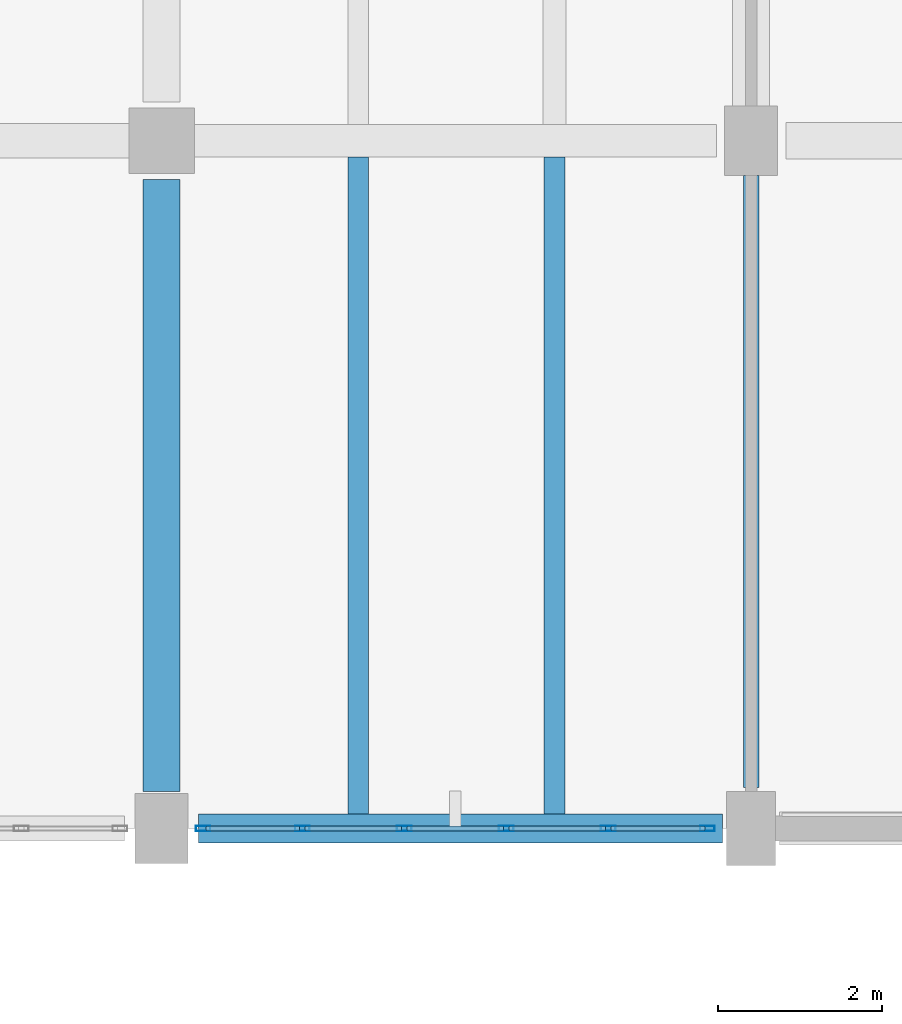
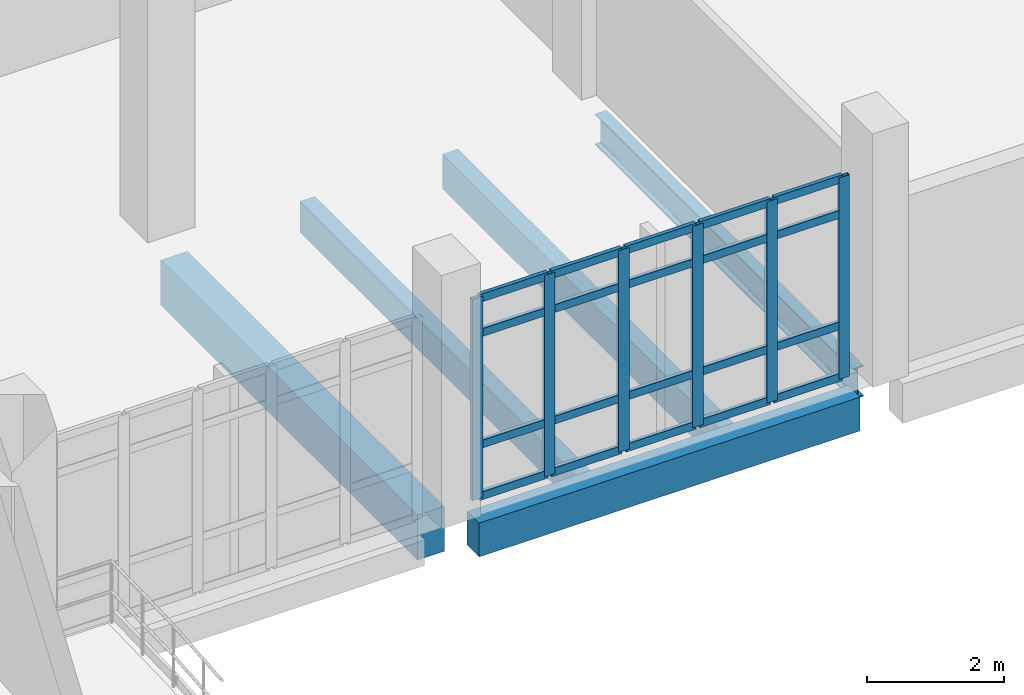
# One storey, part 66 of 134: 26 members, 5 beams, 1 element without a shape of its own.
"""IFC4 building model written with IfcOpenShell, lengths in metres."""

from ifc_helpers import new_model, si_unit, direction, frame, origin, origin_2d, place, context, subcontext, project, spatial, rectangle, hollow_rectangle, i_section, extrude, material, material_profile, profile_set, type_object, element, aggregate, save


model = new_model("IFC4")

# Units and contexts
model_context = context("Model", 3, precision=1e-05, world=origin(), true_north=direction((0.0, 1.0)))
body_context = subcontext(model_context, "Body", "Model", "MODEL_VIEW")
ifc_project = project(units=[si_unit("LENGTHUNIT", "METRE"), si_unit("AREAUNIT", "SQUARE_METRE"), si_unit("VOLUMEUNIT", "CUBIC_METRE"), si_unit("PLANEANGLEUNIT", "RADIAN"), si_unit("MASSUNIT", "GRAM", prefix="KILO")], contexts=[model_context])

# Site, building, storey
site_placement = place(None, origin())
site = spatial("IfcSite", under=ifc_project, at=site_placement, CompositionType="ELEMENT")
building_placement = place(site_placement, origin())
building = spatial("IfcBuilding", under=site, at=building_placement, Name="Kalluvel Institute of Natural Sciences", CompositionType="ELEMENT")
storey_placement = place(building_placement, frame((0.0, 0.0, 5.39990234375)))
storey = spatial("IfcBuildingStorey", under=building, at=storey_placement, Name="L01", CompositionType="ELEMENT", Elevation=5.39990234375)

# Beams
ifc_material_1 = material(Name="Steel E350 Grade 350", Category="steel")
ifc_material_profile_1 = material_profile(ifc_material_1, i_section(OverallWidth=0.18994140625, OverallDepth=0.550048828125, WebThickness=0.01123046875, FlangeThickness=0.019287109375, FilletRadius=0.01806640625, at=origin_2d()), Name="ISMB 550")
ifc_profile_set_1 = profile_set([ifc_material_profile_1], Name="Steel E350 Grade 350")
beam_type_1 = type_object("IfcBeamType", Name="BM-ISMB550", PredefinedType="BEAM", material=ifc_profile_set_1)
beam_1_placement = place(storey_placement, frame((100.39990234375, 103.300048828125, -0.594970703125), z_axis=(0.0, 1.0, 0.0), x_axis=(-1.0, 0.0, 0.0)))
element("IfcBeam", 1, at=beam_1_placement, inside=storey, type_object=beam_type_1, Name="L01 girder GIR-L01-NS-X1004-Y1028", PredefinedType="BEAM", context=body_context, shape_type="SweptSolid", body=[
    extrude(i_section(OverallWidth=0.18994140625, OverallDepth=0.550048828125, WebThickness=0.01123046875, FlangeThickness=0.019287109375, FilletRadius=0.01806640625, at=origin_2d()), origin(), (0.0, 0.0, 1.0), 7.474853515625),
])
ifc_material_2 = material(Name="Concrete M40", Category="concrete")
ifc_material_profile_2 = material_profile(ifc_material_2, rectangle(XDim=0.449951171875, YDim=0.800048828125, at=origin_2d()), Name="RCB 450x800")
ifc_profile_set_2 = profile_set([ifc_material_profile_2], Name="Concrete M40")
beam_type_2 = type_object("IfcBeamType", Name="BM-RC450x800", PredefinedType="BEAM", material=ifc_profile_set_2)
beam_2_placement = place(storey_placement, frame((93.199951171875, 103.25, -0.719970703125), z_axis=(0.0, 1.0, 0.0), x_axis=(-1.0, 0.0, 0.0)))
element("IfcBeam", 2, at=beam_2_placement, inside=storey, type_object=beam_type_2, Name="L01 girder GIR-L01-NS-X932-Y1028", PredefinedType="BEAM", context=body_context, shape_type="SweptSolid", body=[
    extrude(rectangle(XDim=0.449951171875, YDim=0.800048828125, at=origin_2d()), origin(), (0.0, 0.0, 1.0), 7.47509765625),
])

# Curtain wall, members
ifc_material_3 = material(Name="Aluminium AW-6063 T6", Category="aluminium")
curtain_wall_type = type_object("IfcCurtainWallType", Name="CW-WET-45", PredefinedType="USERDEFINED", material=ifc_material_3)
curtain_wall_placement = place(storey_placement, origin())
curtain_wall = element("IfcCurtainWall", 3, at=curtain_wall_placement, inside=storey, type_object=curtain_wall_type, Name="L01 Gothic lancet curtain wall CWA-L01-X937-Y1028", ObjectType="UNITISED LANCET FACADE", PredefinedType="USERDEFINED")
ifc_material_profile_3 = material_profile(ifc_material_3, hollow_rectangle(XDim=0.06494140625, YDim=0.179931640625, WallThickness=0.00439453125, at=origin_2d()), Name="CWM 65x180")
ifc_profile_set_3 = profile_set([ifc_material_profile_3], Name="Aluminium AW-6063 T6")
member_type_1 = type_object("IfcMemberType", Name="CWM-65x180", PredefinedType="MULLION", material=ifc_profile_set_3)
member_1_placement = place(storey_placement, frame((93.70751953125, 102.800048828125, 0.0), z_axis=(0.0, 0.0, 1.0), x_axis=(0.0, 1.0, 0.0)))
member_1 = element("IfcMember", 4, at=member_1_placement, type_object=member_type_1, Name="CW-01 mullion 1", PredefinedType="MULLION", context=body_context, shape_type="SweptSolid", body=[
    extrude(hollow_rectangle(XDim=0.06494140625, YDim=0.179931640625, WallThickness=0.00439453125, at=origin_2d()), origin(), (0.0, 0.0, 1.0), 3.580078125),
])
member_2_placement = place(storey_placement, frame((94.919921875, 102.800048828125, 0.0), z_axis=(0.0, 0.0, 1.0), x_axis=(0.0, 1.0, 0.0)))
member_2 = element("IfcMember", 5, at=member_2_placement, type_object=member_type_1, Name="CW-01 mullion 2", PredefinedType="MULLION", context=body_context, shape_type="SweptSolid", body=[
    extrude(hollow_rectangle(XDim=0.06494140625, YDim=0.179931640625, WallThickness=0.00439453125, at=origin_2d()), origin(), (0.0, 0.0, 1.0), 3.580078125),
])
member_3_placement = place(storey_placement, frame((96.1650390625, 102.800048828125, 0.0), z_axis=(0.0, 0.0, 1.0), x_axis=(0.0, 1.0, 0.0)))
member_3 = element("IfcMember", 6, at=member_3_placement, type_object=member_type_1, Name="CW-01 mullion 3", PredefinedType="MULLION", context=body_context, shape_type="SweptSolid", body=[
    extrude(hollow_rectangle(XDim=0.06494140625, YDim=0.179931640625, WallThickness=0.00439453125, at=origin_2d()), origin(), (0.0, 0.0, 1.0), 3.580078125),
])
member_4_placement = place(storey_placement, frame((97.409912109375, 102.800048828125, 0.0), z_axis=(0.0, 0.0, 1.0), x_axis=(0.0, 1.0, 0.0)))
member_4 = element("IfcMember", 7, at=member_4_placement, type_object=member_type_1, Name="CW-01 mullion 4", PredefinedType="MULLION", context=body_context, shape_type="SweptSolid", body=[
    extrude(hollow_rectangle(XDim=0.06494140625, YDim=0.179931640625, WallThickness=0.00439453125, at=origin_2d()), origin(), (0.0, 0.0, 1.0), 3.580078125),
])
member_5_placement = place(storey_placement, frame((98.655029296875, 102.800048828125, 0.0), z_axis=(0.0, 0.0, 1.0), x_axis=(0.0, 1.0, 0.0)))
member_5 = element("IfcMember", 8, at=member_5_placement, type_object=member_type_1, Name="CW-01 mullion 5", PredefinedType="MULLION", context=body_context, shape_type="SweptSolid", body=[
    extrude(hollow_rectangle(XDim=0.06494140625, YDim=0.179931640625, WallThickness=0.00439453125, at=origin_2d()), origin(), (0.0, 0.0, 1.0), 3.580078125),
])
member_6_placement = place(storey_placement, frame((99.867431640625, 102.800048828125, 0.0), z_axis=(0.0, 0.0, 1.0), x_axis=(0.0, 1.0, 0.0)))
member_6 = element("IfcMember", 9, at=member_6_placement, type_object=member_type_1, Name="CW-01 mullion 6", PredefinedType="MULLION", context=body_context, shape_type="SweptSolid", body=[
    extrude(hollow_rectangle(XDim=0.06494140625, YDim=0.179931640625, WallThickness=0.00439453125, at=origin_2d()), origin(), (0.0, 0.0, 1.0), 3.580078125),
])
ifc_material_profile_4 = material_profile(ifc_material_3, hollow_rectangle(XDim=0.06494140625, YDim=0.139892578125, WallThickness=0.00439453125, at=origin_2d()), Name="CWT 65x140")
ifc_profile_set_4 = profile_set([ifc_material_profile_4], Name="Aluminium AW-6063 T6")
member_type_2 = type_object("IfcMemberType", Name="CWT-65x140", PredefinedType="USERDEFINED", material=ifc_profile_set_4)
member_7_placement = place(storey_placement, frame((93.739990234375, 102.800048828125, 0.03271484375), z_axis=(1.0, 0.0, 0.0), x_axis=(0.0, 1.0, 0.0)))
member_7 = element("IfcMember", 10, at=member_7_placement, type_object=member_type_2, Name="CW-01 transom 1.1", ObjectType="TRANSOM", PredefinedType="USERDEFINED", context=body_context, shape_type="SweptSolid", body=[
    extrude(hollow_rectangle(XDim=0.06494140625, YDim=0.139892578125, WallThickness=0.00439453125, at=origin_2d()), origin(), (0.0, 0.0, 1.0), 1.1474609375),
])
member_8_placement = place(storey_placement, frame((93.739990234375, 102.800048828125, 0.9501953125), z_axis=(1.0, 0.0, 0.0), x_axis=(0.0, 1.0, 0.0)))
member_8 = element("IfcMember", 11, at=member_8_placement, type_object=member_type_2, Name="CW-01 transom 1.2", ObjectType="TRANSOM", PredefinedType="USERDEFINED", context=body_context, shape_type="SweptSolid", body=[
    extrude(hollow_rectangle(XDim=0.06494140625, YDim=0.139892578125, WallThickness=0.00439453125, at=origin_2d()), origin(), (0.0, 0.0, 1.0), 1.1474609375),
])
member_9_placement = place(storey_placement, frame((93.739990234375, 102.800048828125, 2.93017578125), z_axis=(1.0, 0.0, 0.0), x_axis=(0.0, 1.0, 0.0)))
member_9 = element("IfcMember", 12, at=member_9_placement, type_object=member_type_2, Name="CW-01 transom 1.3", ObjectType="TRANSOM", PredefinedType="USERDEFINED", context=body_context, shape_type="SweptSolid", body=[
    extrude(hollow_rectangle(XDim=0.06494140625, YDim=0.139892578125, WallThickness=0.00439453125, at=origin_2d()), origin(), (0.0, 0.0, 1.0), 1.1474609375),
])
member_10_placement = place(storey_placement, frame((93.739990234375, 102.800048828125, 3.547607421875), z_axis=(1.0, 0.0, 0.0), x_axis=(0.0, 1.0, 0.0)))
member_10 = element("IfcMember", 13, at=member_10_placement, type_object=member_type_2, Name="CW-01 transom 1.4", ObjectType="TRANSOM", PredefinedType="USERDEFINED", context=body_context, shape_type="SweptSolid", body=[
    extrude(hollow_rectangle(XDim=0.06494140625, YDim=0.139892578125, WallThickness=0.00439453125, at=origin_2d()), origin(), (0.0, 0.0, 1.0), 1.1474609375),
])
member_11_placement = place(storey_placement, frame((94.952392578125, 102.800048828125, 0.03271484375), z_axis=(1.0, 0.0, 0.0), x_axis=(0.0, 1.0, 0.0)))
member_11 = element("IfcMember", 14, at=member_11_placement, type_object=member_type_2, Name="CW-01 transom 2.1", ObjectType="TRANSOM", PredefinedType="USERDEFINED", context=body_context, shape_type="SweptSolid", body=[
    extrude(hollow_rectangle(XDim=0.06494140625, YDim=0.139892578125, WallThickness=0.00439453125, at=origin_2d()), origin(), (0.0, 0.0, 1.0), 1.18017578125),
])
member_12_placement = place(storey_placement, frame((94.952392578125, 102.800048828125, 0.9501953125), z_axis=(1.0, 0.0, 0.0), x_axis=(0.0, 1.0, 0.0)))
member_12 = element("IfcMember", 15, at=member_12_placement, type_object=member_type_2, Name="CW-01 transom 2.2", ObjectType="TRANSOM", PredefinedType="USERDEFINED", context=body_context, shape_type="SweptSolid", body=[
    extrude(hollow_rectangle(XDim=0.06494140625, YDim=0.139892578125, WallThickness=0.00439453125, at=origin_2d()), origin(), (0.0, 0.0, 1.0), 1.18017578125),
])
member_13_placement = place(storey_placement, frame((94.952392578125, 102.800048828125, 2.93017578125), z_axis=(1.0, 0.0, 0.0), x_axis=(0.0, 1.0, 0.0)))
member_13 = element("IfcMember", 16, at=member_13_placement, type_object=member_type_2, Name="CW-01 transom 2.3", ObjectType="TRANSOM", PredefinedType="USERDEFINED", context=body_context, shape_type="SweptSolid", body=[
    extrude(hollow_rectangle(XDim=0.06494140625, YDim=0.139892578125, WallThickness=0.00439453125, at=origin_2d()), origin(), (0.0, 0.0, 1.0), 1.18017578125),
])
member_14_placement = place(storey_placement, frame((94.952392578125, 102.800048828125, 3.547607421875), z_axis=(1.0, 0.0, 0.0), x_axis=(0.0, 1.0, 0.0)))
member_14 = element("IfcMember", 17, at=member_14_placement, type_object=member_type_2, Name="CW-01 transom 2.4", ObjectType="TRANSOM", PredefinedType="USERDEFINED", context=body_context, shape_type="SweptSolid", body=[
    extrude(hollow_rectangle(XDim=0.06494140625, YDim=0.139892578125, WallThickness=0.00439453125, at=origin_2d()), origin(), (0.0, 0.0, 1.0), 1.18017578125),
])
member_15_placement = place(storey_placement, frame((96.197509765625, 102.800048828125, 0.03271484375), z_axis=(1.0, 0.0, 0.0), x_axis=(0.0, 1.0, 0.0)))
member_15 = element("IfcMember", 18, at=member_15_placement, type_object=member_type_2, Name="CW-01 transom 3.1", ObjectType="TRANSOM", PredefinedType="USERDEFINED", context=body_context, shape_type="SweptSolid", body=[
    extrude(hollow_rectangle(XDim=0.06494140625, YDim=0.139892578125, WallThickness=0.00439453125, at=origin_2d()), origin(), (0.0, 0.0, 1.0), 1.179931640625),
])
member_16_placement = place(storey_placement, frame((96.197509765625, 102.800048828125, 0.9501953125), z_axis=(1.0, 0.0, 0.0), x_axis=(0.0, 1.0, 0.0)))
member_16 = element("IfcMember", 19, at=member_16_placement, type_object=member_type_2, Name="CW-01 transom 3.2", ObjectType="TRANSOM", PredefinedType="USERDEFINED", context=body_context, shape_type="SweptSolid", body=[
    extrude(hollow_rectangle(XDim=0.06494140625, YDim=0.139892578125, WallThickness=0.00439453125, at=origin_2d()), origin(), (0.0, 0.0, 1.0), 1.179931640625),
])
member_17_placement = place(storey_placement, frame((96.197509765625, 102.800048828125, 2.93017578125), z_axis=(1.0, 0.0, 0.0), x_axis=(0.0, 1.0, 0.0)))
member_17 = element("IfcMember", 20, at=member_17_placement, type_object=member_type_2, Name="CW-01 transom 3.3", ObjectType="TRANSOM", PredefinedType="USERDEFINED", context=body_context, shape_type="SweptSolid", body=[
    extrude(hollow_rectangle(XDim=0.06494140625, YDim=0.139892578125, WallThickness=0.00439453125, at=origin_2d()), origin(), (0.0, 0.0, 1.0), 1.179931640625),
])
member_18_placement = place(storey_placement, frame((96.197509765625, 102.800048828125, 3.547607421875), z_axis=(1.0, 0.0, 0.0), x_axis=(0.0, 1.0, 0.0)))
member_18 = element("IfcMember", 21, at=member_18_placement, type_object=member_type_2, Name="CW-01 transom 3.4", ObjectType="TRANSOM", PredefinedType="USERDEFINED", context=body_context, shape_type="SweptSolid", body=[
    extrude(hollow_rectangle(XDim=0.06494140625, YDim=0.139892578125, WallThickness=0.00439453125, at=origin_2d()), origin(), (0.0, 0.0, 1.0), 1.179931640625),
])
member_19_placement = place(storey_placement, frame((97.4423828125, 102.800048828125, 0.03271484375), z_axis=(1.0, 0.0, 0.0), x_axis=(0.0, 1.0, 0.0)))
member_19 = element("IfcMember", 22, at=member_19_placement, type_object=member_type_2, Name="CW-01 transom 4.1", ObjectType="TRANSOM", PredefinedType="USERDEFINED", context=body_context, shape_type="SweptSolid", body=[
    extrude(hollow_rectangle(XDim=0.06494140625, YDim=0.139892578125, WallThickness=0.00439453125, at=origin_2d()), origin(), (0.0, 0.0, 1.0), 1.18017578125),
])
member_20_placement = place(storey_placement, frame((97.4423828125, 102.800048828125, 0.9501953125), z_axis=(1.0, 0.0, 0.0), x_axis=(0.0, 1.0, 0.0)))
member_20 = element("IfcMember", 23, at=member_20_placement, type_object=member_type_2, Name="CW-01 transom 4.2", ObjectType="TRANSOM", PredefinedType="USERDEFINED", context=body_context, shape_type="SweptSolid", body=[
    extrude(hollow_rectangle(XDim=0.06494140625, YDim=0.139892578125, WallThickness=0.00439453125, at=origin_2d()), origin(), (0.0, 0.0, 1.0), 1.18017578125),
])
member_21_placement = place(storey_placement, frame((97.4423828125, 102.800048828125, 2.93017578125), z_axis=(1.0, 0.0, 0.0), x_axis=(0.0, 1.0, 0.0)))
member_21 = element("IfcMember", 24, at=member_21_placement, type_object=member_type_2, Name="CW-01 transom 4.3", ObjectType="TRANSOM", PredefinedType="USERDEFINED", context=body_context, shape_type="SweptSolid", body=[
    extrude(hollow_rectangle(XDim=0.06494140625, YDim=0.139892578125, WallThickness=0.00439453125, at=origin_2d()), origin(), (0.0, 0.0, 1.0), 1.18017578125),
])
member_22_placement = place(storey_placement, frame((97.4423828125, 102.800048828125, 3.547607421875), z_axis=(1.0, 0.0, 0.0), x_axis=(0.0, 1.0, 0.0)))
member_22 = element("IfcMember", 25, at=member_22_placement, type_object=member_type_2, Name="CW-01 transom 4.4", ObjectType="TRANSOM", PredefinedType="USERDEFINED", context=body_context, shape_type="SweptSolid", body=[
    extrude(hollow_rectangle(XDim=0.06494140625, YDim=0.139892578125, WallThickness=0.00439453125, at=origin_2d()), origin(), (0.0, 0.0, 1.0), 1.18017578125),
])
member_23_placement = place(storey_placement, frame((98.6875, 102.800048828125, 0.03271484375), z_axis=(1.0, 0.0, 0.0), x_axis=(0.0, 1.0, 0.0)))
member_23 = element("IfcMember", 26, at=member_23_placement, type_object=member_type_2, Name="CW-01 transom 5.1", ObjectType="TRANSOM", PredefinedType="USERDEFINED", context=body_context, shape_type="SweptSolid", body=[
    extrude(hollow_rectangle(XDim=0.06494140625, YDim=0.139892578125, WallThickness=0.00439453125, at=origin_2d()), origin(), (0.0, 0.0, 1.0), 1.1474609375),
])
member_24_placement = place(storey_placement, frame((98.6875, 102.800048828125, 0.9501953125), z_axis=(1.0, 0.0, 0.0), x_axis=(0.0, 1.0, 0.0)))
member_24 = element("IfcMember", 27, at=member_24_placement, type_object=member_type_2, Name="CW-01 transom 5.2", ObjectType="TRANSOM", PredefinedType="USERDEFINED", context=body_context, shape_type="SweptSolid", body=[
    extrude(hollow_rectangle(XDim=0.06494140625, YDim=0.139892578125, WallThickness=0.00439453125, at=origin_2d()), origin(), (0.0, 0.0, 1.0), 1.1474609375),
])
member_25_placement = place(storey_placement, frame((98.6875, 102.800048828125, 2.93017578125), z_axis=(1.0, 0.0, 0.0), x_axis=(0.0, 1.0, 0.0)))
member_25 = element("IfcMember", 28, at=member_25_placement, type_object=member_type_2, Name="CW-01 transom 5.3", ObjectType="TRANSOM", PredefinedType="USERDEFINED", context=body_context, shape_type="SweptSolid", body=[
    extrude(hollow_rectangle(XDim=0.06494140625, YDim=0.139892578125, WallThickness=0.00439453125, at=origin_2d()), origin(), (0.0, 0.0, 1.0), 1.1474609375),
])
member_26_placement = place(storey_placement, frame((98.6875, 102.800048828125, 3.547607421875), z_axis=(1.0, 0.0, 0.0), x_axis=(0.0, 1.0, 0.0)))
member_26 = element("IfcMember", 29, at=member_26_placement, type_object=member_type_2, Name="CW-01 transom 5.4", ObjectType="TRANSOM", PredefinedType="USERDEFINED", context=body_context, shape_type="SweptSolid", body=[
    extrude(hollow_rectangle(XDim=0.06494140625, YDim=0.139892578125, WallThickness=0.00439453125, at=origin_2d()), origin(), (0.0, 0.0, 1.0), 1.1474609375),
])
aggregate(curtain_wall, [member_1, member_2, member_3, member_4, member_5, member_6, member_7, member_8, member_9, member_10, member_11, member_12, member_13, member_14, member_15, member_16, member_17, member_18, member_19, member_20, member_21, member_22, member_23, member_24, member_25, member_26])

# Beams
ifc_material_profile_5 = material_profile(ifc_material_2, rectangle(XDim=0.35009765625, YDim=0.60009765625, at=origin_2d()), Name="RCB 350x600")
ifc_profile_set_5 = profile_set([ifc_material_profile_5], Name="Concrete M40")
beam_type_3 = type_object("IfcBeamType", Name="SP-RC350x600", PredefinedType="SPANDREL", material=ifc_profile_set_5)
beam_3_placement = place(storey_placement, frame((93.64990234375, 102.800048828125, -0.619873046875), z_axis=(1.0, 0.0, 0.0), x_axis=(0.0, 1.0, 0.0)))
element("IfcBeam", 30, at=beam_3_placement, inside=storey, type_object=beam_type_3, Name="L01 girder GIR-L01-EW-X932-Y1028", PredefinedType="SPANDREL", context=body_context, shape_type="SweptSolid", body=[
    extrude(rectangle(XDim=0.35009765625, YDim=0.60009765625, at=origin_2d()), origin(), (0.0, 0.0, 1.0), 6.400146484375),
])
ifc_material_profile_6 = material_profile(ifc_material_2, rectangle(XDim=0.25, YDim=0.550048828125, at=origin_2d()), Name="WAF 250x550")
ifc_profile_set_6 = profile_set([ifc_material_profile_6], Name="Concrete M40")
beam_type_4 = type_object("IfcBeamType", Name="WJ-250x550", PredefinedType="JOIST", material=ifc_profile_set_6)
beam_4_placement = place(storey_placement, frame((95.60009765625, 102.97509765625, -0.594970703125), z_axis=(0.0, 1.0, 0.0), x_axis=(-1.0, 0.0, 0.0)))
element("IfcBeam", 31, at=beam_4_placement, inside=storey, type_object=beam_type_4, Name="L01 waffle joist RIB-L01-0125", PredefinedType="JOIST", context=body_context, shape_type="SweptSolid", body=[
    extrude(rectangle(XDim=0.25, YDim=0.550048828125, at=origin_2d()), origin(), (0.0, 0.0, 1.0), 8.02490234375),
])
ifc_material_4 = material(Name="Concrete M50", Category="concrete")
ifc_material_profile_7 = material_profile(ifc_material_4, rectangle(XDim=0.260009765625, YDim=0.6201171875, at=origin_2d()), Name="WAF 260x620")
ifc_profile_set_7 = profile_set([ifc_material_profile_7], Name="Concrete M50")
beam_type_5 = type_object("IfcBeamType", Name="WJ-260x620", PredefinedType="JOIST", material=ifc_profile_set_7)
beam_5_placement = place(storey_placement, frame((98.0, 102.97509765625, -0.6298828125), z_axis=(0.0, 1.0, 0.0), x_axis=(-1.0, 0.0, 0.0)))
element("IfcBeam", 32, at=beam_5_placement, inside=storey, type_object=beam_type_5, Name="L01 waffle joist RIB-L01-0126", PredefinedType="JOIST", context=body_context, shape_type="SweptSolid", body=[
    extrude(rectangle(XDim=0.260009765625, YDim=0.6201171875, at=origin_2d()), origin(), (0.0, 0.0, 1.0), 8.02490234375),
])

save(model, "model.ifc")
